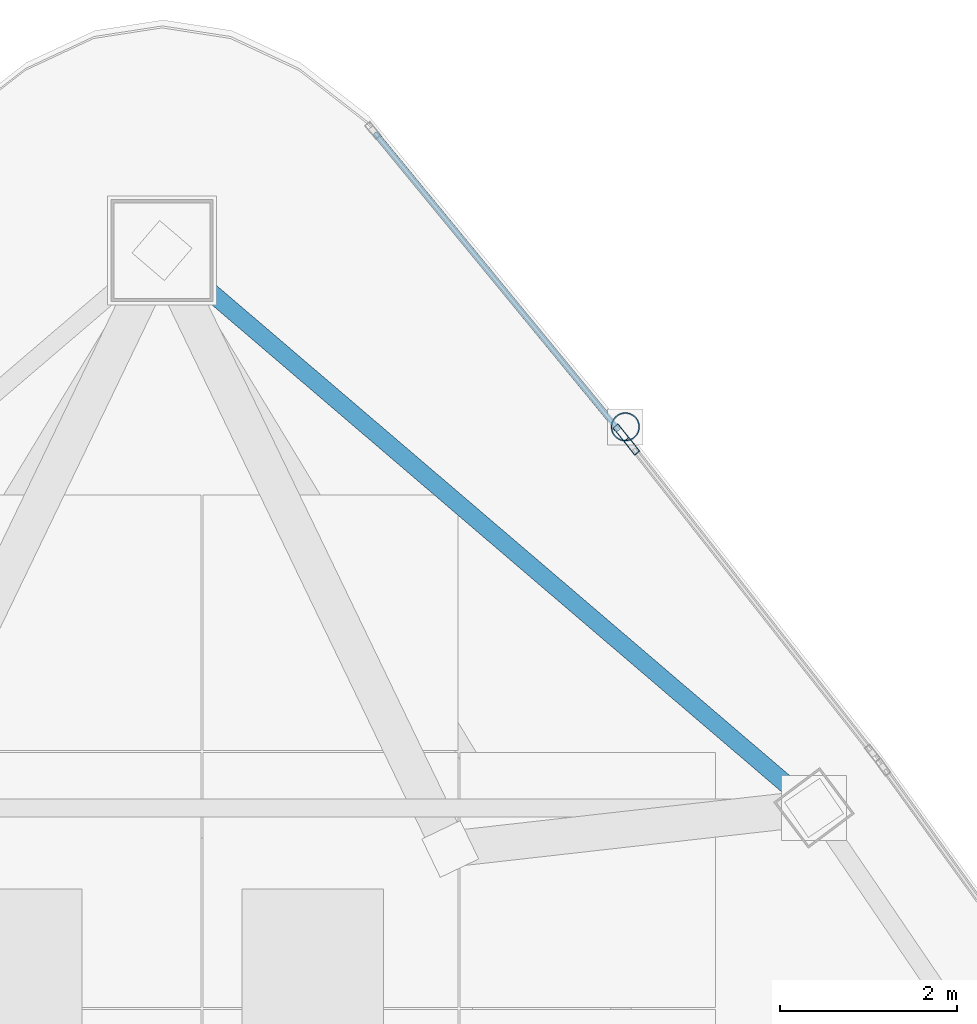
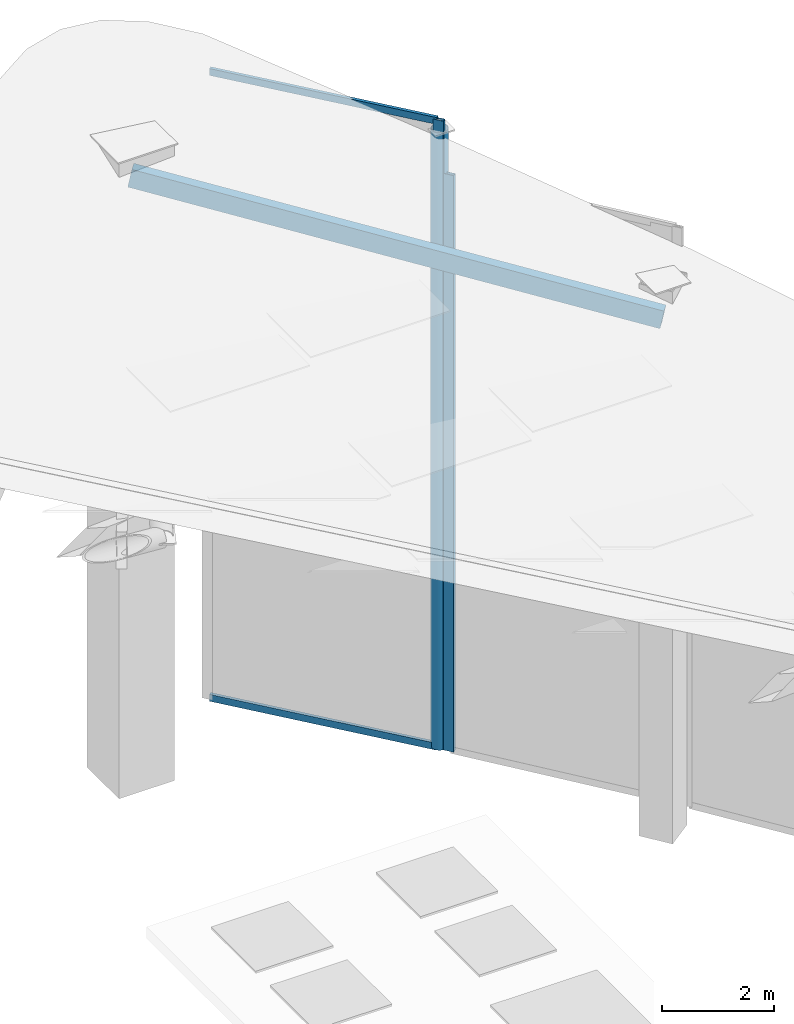
# One storey, part 17 of 21: 6 members, 2 elements without a shape of their own.
"""IFC4 building model written with IfcOpenShell, lengths in metres."""

from ifc_helpers import new_model, si_unit, direction, frame, origin, origin_2d, place, context, subcontext, project, spatial, hollow_rectangle, hollow_circle, extrude, material, layer, layer_set, material_profile, profile_set, type_object, element, aggregate, save


model = new_model("IFC4")

# Units and contexts
model_context = context("Model", 3, precision=1e-05, world=origin(), true_north=direction((0.0, 1.0)))
body_context = subcontext(model_context, "Body", "Model", "MODEL_VIEW")
ifc_project = project(units=[si_unit("LENGTHUNIT", "METRE"), si_unit("AREAUNIT", "SQUARE_METRE"), si_unit("VOLUMEUNIT", "CUBIC_METRE"), si_unit("PLANEANGLEUNIT", "RADIAN"), si_unit("MASSUNIT", "GRAM", prefix="KILO")], contexts=[model_context])

# Site, building, storey
site_placement = place(None, origin())
site = spatial("IfcSite", under=ifc_project, at=site_placement, CompositionType="ELEMENT")
building_placement = place(site_placement, origin())
building = spatial("IfcBuilding", under=site, at=building_placement, Name="Orvanel Arch Residences", CompositionType="ELEMENT")
storey_placement = place(building_placement, frame((0.0, 0.0, 314.89990234375)))
storey = spatial("IfcBuildingStorey", under=building, at=storey_placement, Name="RF", CompositionType="ELEMENT", Elevation=314.89990234375)

# Curtain wall, member
ifc_material_1 = material(Name="Bronze-anodised aluminium AA6063-T6", Category="aluminium")
ifc_layer = layer(ifc_material_1, 0.2099609375)
ifc_layer_set = layer_set([ifc_layer], Name="Bronze-anodised aluminium AA6063-T6")
curtain_wall_type = type_object("IfcCurtainWallType", Name="CW7-TOP-SYS", PredefinedType="NOTDEFINED", material=ifc_layer_set)
curtain_wall_1_placement = place(storey_placement, origin())
curtain_wall_1 = element("IfcCurtainWall", 1, at=curtain_wall_1_placement, inside=storey, type_object=curtain_wall_type, Name="RF CW7-TOP-SYS Unitised Curtain Wall", PredefinedType="NOTDEFINED")
ifc_material_profile_1 = material_profile(ifc_material_1, hollow_rectangle(XDim=0.074951171875, YDim=0.199951171875, WallThickness=0.0048828125, at=origin_2d()), Name="ALU200x75x5")
ifc_profile_set_1 = profile_set([ifc_material_profile_1], Name="Bronze-anodised aluminium AA6063-T6")
member_type_1 = type_object("IfcMemberType", Name="MUL-200x75", PredefinedType="MULLION", material=ifc_profile_set_1)
member_1_placement = place(storey_placement, frame((38.297119140625, 39.19140625, 0.0), z_axis=(0.0, 0.0, 1.0), x_axis=(-0.786830004799, -0.617169785025, 0.0)))
member_1 = element("IfcMember", 2, at=member_1_placement, type_object=member_type_1, Name="CW-S7 mullion 2", PredefinedType="MULLION", context=body_context, shape_type="SweptSolid", body=[
    extrude(hollow_rectangle(XDim=0.074951171875, YDim=0.199951171875, WallThickness=0.0048828125, at=origin_2d()), origin(), (0.0, 0.0, 1.0), 12.5771484375),
])
aggregate(curtain_wall_1, [member_1])

curtain_wall_2_placement = place(storey_placement, origin())
curtain_wall_2 = element("IfcCurtainWall", 3, at=curtain_wall_2_placement, inside=storey, type_object=curtain_wall_type, Name="RF CW7-TOP-SYS Unitised Curtain Wall", PredefinedType="NOTDEFINED")
member_2_placement = place(storey_placement, frame((38.17529296875, 39.343017578125, 0.0), z_axis=(0.0, 0.0, 1.0), x_axis=(-0.773022919572, -0.634378093739, 0.0)))
member_2 = element("IfcMember", 4, at=member_2_placement, type_object=member_type_1, Name="CW-S7 mullion 1", PredefinedType="MULLION", context=body_context, shape_type="SweptSolid", body=[
    extrude(hollow_rectangle(XDim=0.074951171875, YDim=0.199951171875, WallThickness=0.0048828125, at=origin_2d()), origin(), (0.0, 0.0, 1.0), 13.714111328125),
])

# Members
ifc_material_2 = material(Name="Structural steel AS/NZS 1163 C350L0 (Grade 350)", Category="steel")
ifc_material_profile_2 = material_profile(ifc_material_2, hollow_rectangle(XDim=0.199951171875, YDim=0.39990234375, WallThickness=0.012451171875, at=origin_2d()), Name="RHS400x200x12.5")
ifc_profile_set_2 = profile_set([ifc_material_profile_2], Name="Structural steel AS/NZS 1163 C350L0 (Grade 350)")
member_type_2 = type_object("IfcMemberType", Name="RF-400RHS-EXT", PredefinedType="RAFTER", material=ifc_profile_set_2)
member_3_placement = place(storey_placement, frame((40.35205078125, 35.113037109375, 11.2021484375), z_axis=(-0.746539680555, 0.638180613553, 0.188159532955), x_axis=(-0.649786794617, -0.760116518398, 0.0)))
element("IfcMember", 5, at=member_3_placement, inside=storey, type_object=member_type_2, Name="RF Slanted Crown Outer Rim Rafter 10", PredefinedType="RAFTER", context=body_context, shape_type="SweptSolid", body=[
    extrude(hollow_rectangle(XDim=0.199951171875, YDim=0.39990234375, WallThickness=0.012451171875, at=origin_2d()), origin(), (0.0, 0.0, 1.0), 9.84814453125),
])
ifc_material_profile_3 = material_profile(ifc_material_2, hollow_circle(Radius=0.162109375, WallThickness=0.0126953125, at=origin_2d()), Name="CHS324x12.7")
ifc_profile_set_3 = profile_set([ifc_material_profile_3], Name="Structural steel AS/NZS 1163 C350L0 (Grade 350)")
member_type_3 = type_object("IfcMemberType", Name="ST-324CHS-EXT", PredefinedType="STRUT", material=ifc_profile_set_3)
member_4_placement = place(storey_placement, frame((38.22412109375, 39.409912109375, 0.0), z_axis=(0.0, 0.0, 1.0), x_axis=(1.0, 0.0, 0.0)))
element("IfcMember", 6, at=member_4_placement, inside=storey, type_object=member_type_3, Name="RF Crown Outer Perimeter Frame Post 12", PredefinedType="STRUT", context=body_context, shape_type="SweptSolid", body=[
    extrude(hollow_circle(Radius=0.162109375, WallThickness=0.0126953125, at=origin_2d()), origin(), (0.0, 0.0, 1.0), 13.463134765625),
])

# Member
ifc_material_profile_4 = material_profile(ifc_material_1, hollow_rectangle(XDim=0.06494140625, YDim=0.14990234375, WallThickness=0.00390625, at=origin_2d()), Name="ALU150x65x4")
ifc_profile_set_4 = profile_set([ifc_material_profile_4], Name="Bronze-anodised aluminium AA6063-T6")
member_type_4 = type_object("IfcMemberType", Name="TRN-150x65", PredefinedType="USERDEFINED", material=ifc_profile_set_4)
member_5_placement = place(storey_placement, frame((38.1513671875, 39.3720703125, 0.03271484375), z_axis=(-0.634362338524, 0.773035848756, 0.0), x_axis=(-0.773035848756, -0.634362338524, 0.0)))
member_5 = element("IfcMember", 7, at=member_5_placement, type_object=member_type_4, Name="CW-S7 transom 1.1", ObjectType="TRANSOM", PredefinedType="USERDEFINED", context=body_context, shape_type="SweptSolid", body=[
    extrude(hollow_rectangle(XDim=0.06494140625, YDim=0.14990234375, WallThickness=0.00390625, at=origin_2d()), origin(), (0.0, 0.0, 1.0), 4.336181640625),
])

member_6_placement = place(storey_placement, frame((38.1513671875, 39.3720703125, 13.681640625), z_axis=(-0.634362338524, 0.773035848756, 0.0), x_axis=(-0.773035848756, -0.634362338524, 0.0)))
member_6 = element("IfcMember", 8, at=member_6_placement, type_object=member_type_4, Name="CW-S7 transom 1.2", ObjectType="TRANSOM", PredefinedType="USERDEFINED", context=body_context, shape_type="SweptSolid", body=[
    extrude(hollow_rectangle(XDim=0.06494140625, YDim=0.14990234375, WallThickness=0.00390625, at=origin_2d()), origin(), (0.0, 0.0, 1.0), 4.336181640625),
])

aggregate(curtain_wall_2, [member_2, member_5, member_6])

save(model, "model.ifc")
